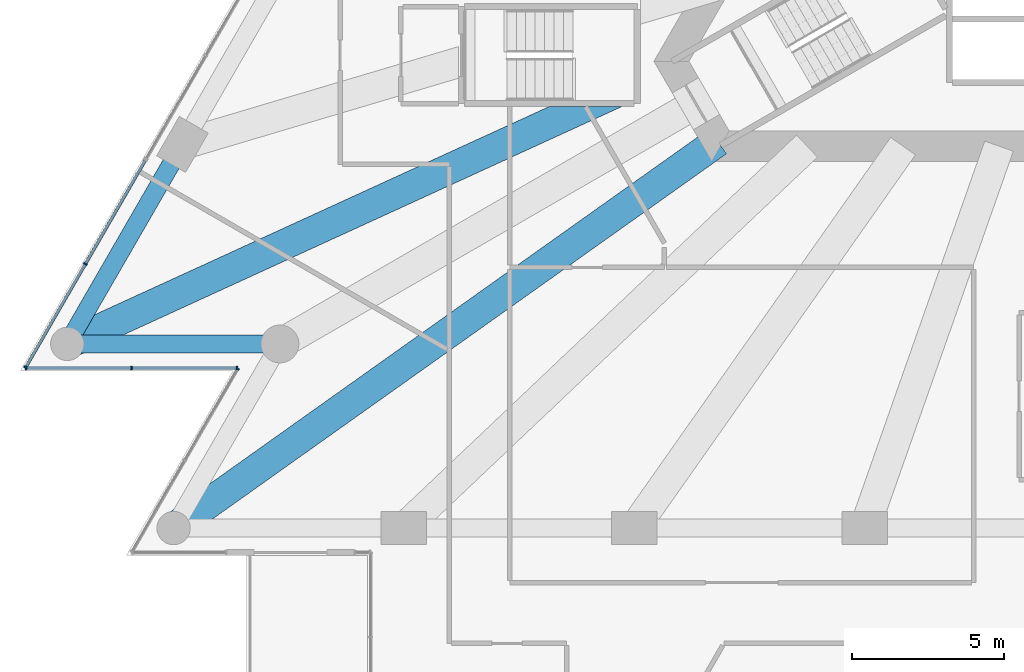
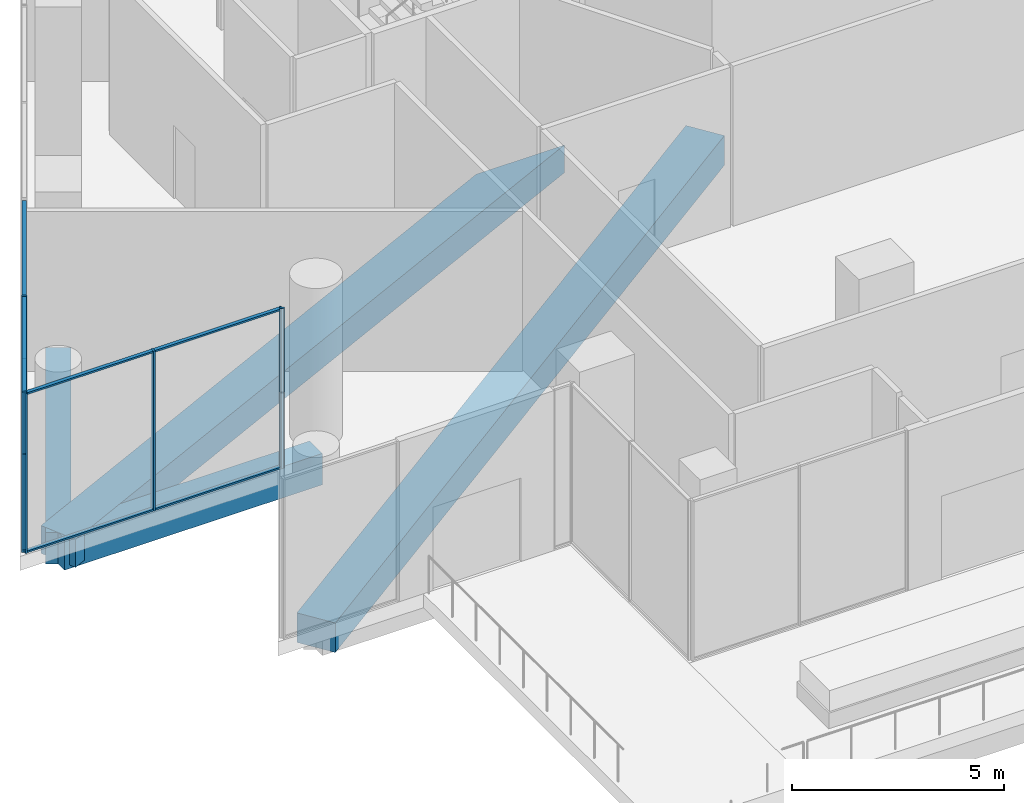
# One storey, part 4 of 32: 14 members, 4 beams, 3 elements without a shape of their own.
"""IFC4 building model written with IfcOpenShell, lengths in metres."""

from ifc_helpers import new_model, si_unit, direction, frame, origin, origin_2d, place, context, subcontext, project, spatial, rectangle, extrude, clip, halfspace, material, layer, layer_set, material_profile, profile_set, type_object, element, aggregate, save


model = new_model("IFC4")

# Units and contexts
model_context = context("Model", 3, precision=1e-05, world=origin(), true_north=direction((0.0, 1.0)))
body_context = subcontext(model_context, "Body", "Model", "MODEL_VIEW")
ifc_project = project(units=[si_unit("LENGTHUNIT", "METRE"), si_unit("AREAUNIT", "SQUARE_METRE"), si_unit("VOLUMEUNIT", "CUBIC_METRE"), si_unit("PLANEANGLEUNIT", "RADIAN"), si_unit("MASSUNIT", "GRAM", prefix="KILO")], contexts=[model_context])

# Site, building, storey
site_placement = place(None, origin())
site = spatial("IfcSite", under=ifc_project, at=site_placement, CompositionType="ELEMENT")
building_placement = place(site_placement, origin())
building = spatial("IfcBuilding", under=site, at=building_placement, Name="Triada Interchange Tower", CompositionType="ELEMENT")
storey_placement = place(building_placement, frame((0.0, 0.0, 25.300048828125)))
storey = spatial("IfcBuildingStorey", under=building, at=storey_placement, Name="L04", CompositionType="ELEMENT", Elevation=25.300048828125)

# Curtain wall, members
ifc_material_1 = material(Name="Aluminium framed glazing", Category="aluminium")
ifc_layer = layer(ifc_material_1, 0.199951171875)
ifc_layer_set = layer_set([ifc_layer], Name="Curtain wall Winter garden glazing")
curtain_wall_type = type_object("IfcCurtainWallType", Name="Curtain wall Winter garden glazing", PredefinedType="NOTDEFINED", material=ifc_layer_set)
curtain_wall_1_placement = place(storey_placement, origin())
curtain_wall_1 = element("IfcCurtainWall", 1, at=curtain_wall_1_placement, inside=storey, type_object=curtain_wall_type, Name="Winter garden glazing CW029 L04", PredefinedType="NOTDEFINED")
ifc_material_2 = material(Name="Aluminium", Category="aluminium")
ifc_material_profile_1 = material_profile(ifc_material_2, rectangle(XDim=0.1201171875, YDim=0.050048828125, at=origin_2d()), Name="Aluminium mullion")
ifc_profile_set_1 = profile_set([ifc_material_profile_1], Name="Aluminium")
member_type_1 = type_object("IfcMemberType", Name="Mullion Winter garden glazing 120x50", PredefinedType="MULLION", material=ifc_profile_set_1)
member_1_placement = place(storey_placement, frame((-33.305908203125, -12.886474609375, 0.0), z_axis=(0.0, 0.0, 1.0), x_axis=(0.86604927658, -0.499958648825, 0.0)))
member_1 = element("IfcMember", 2, at=member_1_placement, type_object=member_type_1, Name="CW029 mullion 2", PredefinedType="MULLION", context=body_context, shape_type="SweptSolid", body=[
    extrude(rectangle(XDim=0.1201171875, YDim=0.050048828125, at=origin_2d()), origin(), (0.0, 0.0, 1.0), 4.599853515625),
])
member_2_placement = place(storey_placement, frame((-35.278564453125, -16.303466796875, 0.0), z_axis=(0.0, 0.0, 1.0), x_axis=(0.86604927658, -0.499958648825, 0.0)))
member_2 = element("IfcMember", 3, at=member_2_placement, type_object=member_type_1, Name="CW029 mullion 3", PredefinedType="MULLION", context=body_context, shape_type="SweptSolid", body=[
    extrude(rectangle(XDim=0.1201171875, YDim=0.050048828125, at=origin_2d()), origin(), (0.0, 0.0, 1.0), 4.599853515625),
])

curtain_wall_2_placement = place(storey_placement, origin())
curtain_wall_2 = element("IfcCurtainWall", 4, at=curtain_wall_2_placement, inside=storey, type_object=curtain_wall_type, Name="Winter garden glazing CW030 L04", PredefinedType="NOTDEFINED")
member_3_placement = place(storey_placement, frame((-35.26611328125, -16.324951171875, 0.0), z_axis=(0.0, 0.0, 1.0), x_axis=(0.0, 1.0, 0.0)))
member_3 = element("IfcMember", 5, at=member_3_placement, type_object=member_type_1, Name="CW030 mullion 1", PredefinedType="MULLION", context=body_context, shape_type="SweptSolid", body=[
    extrude(rectangle(XDim=0.1201171875, YDim=0.050048828125, at=origin_2d()), origin(), (0.0, 0.0, 1.0), 4.599853515625),
])
member_4_placement = place(storey_placement, frame((-31.783447265625, -16.324951171875, 0.0), z_axis=(0.0, 0.0, 1.0), x_axis=(0.0, 1.0, 0.0)))
member_4 = element("IfcMember", 6, at=member_4_placement, type_object=member_type_1, Name="CW030 mullion 2", PredefinedType="MULLION", context=body_context, shape_type="SweptSolid", body=[
    extrude(rectangle(XDim=0.1201171875, YDim=0.050048828125, at=origin_2d()), origin(), (0.0, 0.0, 1.0), 4.599853515625),
])
member_5_placement = place(storey_placement, frame((-28.301025390625, -16.324951171875, 0.0), z_axis=(0.0, 0.0, 1.0), x_axis=(0.0, 1.0, 0.0)))
member_5 = element("IfcMember", 7, at=member_5_placement, type_object=member_type_1, Name="CW030 mullion 3", PredefinedType="MULLION", context=body_context, shape_type="SweptSolid", body=[
    extrude(rectangle(XDim=0.1201171875, YDim=0.050048828125, at=origin_2d()), origin(), (0.0, 0.0, 1.0), 4.599853515625),
])

# Curtain wall, member
curtain_wall_3_placement = place(storey_placement, origin())
curtain_wall_3 = element("IfcCurtainWall", 8, at=curtain_wall_3_placement, inside=storey, type_object=curtain_wall_type, Name="Winter garden glazing CW031 L04", PredefinedType="NOTDEFINED")
member_6_placement = place(storey_placement, frame((-28.28857421875, -16.3466796875, 0.0), z_axis=(0.0, 0.0, 1.0), x_axis=(0.866050272896, -0.499956922962, 0.0)))
member_6 = element("IfcMember", 9, at=member_6_placement, type_object=member_type_1, Name="CW031 mullion 1", PredefinedType="MULLION", context=body_context, shape_type="SweptSolid", body=[
    extrude(rectangle(XDim=0.1201171875, YDim=0.050048828125, at=origin_2d()), origin(), (0.0, 0.0, 1.0), 4.599853515625),
])
aggregate(curtain_wall_3, [member_6])

# Beams
ifc_material_3 = material(Name="Concrete C50/60", Category="concrete")
ifc_material_profile_2 = material_profile(ifc_material_3, rectangle(XDim=1.0, YDim=0.800048828125, at=origin_2d()), Name="RC 1000x800")
ifc_profile_set_2 = profile_set([ifc_material_profile_2], Name="Concrete C50/60")
beam_type_1 = type_object("IfcBeamType", Name="Radial band beam P RC 1000x800", PredefinedType="BEAM", material=ifc_profile_set_2)
beam_1_placement = place(storey_placement, frame((-33.905029296875, -15.52490234375, -0.800048828125), z_axis=(0.909200707798, 0.41635810661, 0.0), x_axis=(-0.41635810661, 0.909200707798, 0.0)))
element("IfcBeam", 10, at=beam_1_placement, inside=storey, type_object=beam_type_1, Name="Radial band beam BP09A L04", PredefinedType="BEAM", context=body_context, shape_type="Clipping", body=[
    clip(extrude(rectangle(XDim=1.0, YDim=0.800048828125, at=origin_2d()), origin(), (0.0, 0.0, 1.0), 20.294921875), halfspace(frame((-0.7568359375, -24.5, 20.446533203125), z_axis=(0.909200707798, 0.0, 0.41635810661), x_axis=(0.0, -1.0, 0.0)), False)),
])
ifc_material_profile_3 = material_profile(ifc_material_3, rectangle(XDim=1.0, YDim=0.85009765625, at=origin_2d()), Name="RC 1000x850")
ifc_profile_set_3 = profile_set([ifc_material_profile_3], Name="Concrete C50/60")
beam_type_2 = type_object("IfcBeamType", Name="Radial band beam P RC 1000x850", PredefinedType="BEAM", material=ifc_profile_set_3)
beam_2_placement = place(storey_placement, frame((-30.39697265625, -21.60009765625, -0.824951171875), z_axis=(0.815163189691, 0.579231364977, 0.0), x_axis=(-0.579231364977, 0.815163189691, 0.0)))
element("IfcBeam", 11, at=beam_2_placement, inside=storey, type_object=beam_type_2, Name="Radial band beam BP11 L04", PredefinedType="BEAM", context=body_context, shape_type="SweptSolid", body=[
    extrude(rectangle(XDim=1.0, YDim=0.85009765625, at=origin_2d()), origin(), (0.0, 0.0, 1.0), 22.0224609375),
])
ifc_material_profile_4 = material_profile(ifc_material_3, rectangle(XDim=0.60009765625, YDim=0.89990234375, at=origin_2d()), Name="RC 600x900")
ifc_profile_set_4 = profile_set([ifc_material_profile_4], Name="Concrete C50/60")
beam_type_3 = type_object("IfcBeamType", Name="Spandrel beam P RC 600x900", PredefinedType="BEAM", material=ifc_profile_set_4)
beam_3_placement = place(storey_placement, frame((-30.10498046875, -8.944091796875, -0.85009765625), z_axis=(-0.500060803479, -0.865990296034, 0.0), x_axis=(0.865990296034, -0.500060803479, 0.0)))
element("IfcBeam", 12, at=beam_3_placement, inside=storey, type_object=beam_type_3, Name="Spandrel beam EP08 L04", PredefinedType="BEAM", context=body_context, shape_type="SweptSolid", body=[
    extrude(rectangle(XDim=0.60009765625, YDim=0.89990234375, at=origin_2d()), origin(), (0.0, 0.0, 1.0), 7.59912109375),
])
beam_4_placement = place(storey_placement, frame((-33.905029296875, -15.52490234375, -0.85009765625), z_axis=(1.0, 0.0, 0.0), x_axis=(0.0, 1.0, 0.0)))
element("IfcBeam", 13, at=beam_4_placement, inside=storey, type_object=beam_type_3, Name="Spandrel beam EP09 L04", PredefinedType="BEAM", context=body_context, shape_type="SweptSolid", body=[
    extrude(rectangle(XDim=0.60009765625, YDim=0.89990234375, at=origin_2d()), origin(), (0.0, 0.0, 1.0), 7.01513671875),
])

# Member
ifc_material_profile_5 = material_profile(ifc_material_2, rectangle(XDim=0.10009765625, YDim=0.050048828125, at=origin_2d()), Name="Aluminium transom")
ifc_profile_set_5 = profile_set([ifc_material_profile_5], Name="Aluminium")
member_type_2 = type_object("IfcMemberType", Name="Transom Winter garden glazing 100x50", PredefinedType="USERDEFINED", material=ifc_profile_set_5)
member_7_placement = place(storey_placement, frame((-31.345947265625, -9.4912109375, 0.02490234375), z_axis=(-0.499961171201, -0.866047820441, 0.0), x_axis=(0.866047820441, -0.499961171201, 0.0)))
member_7 = element("IfcMember", 14, at=member_7_placement, type_object=member_type_2, Name="CW029 transom 1.1", ObjectType="TRANSOM", PredefinedType="USERDEFINED", context=body_context, shape_type="SweptSolid", body=[
    extrude(rectangle(XDim=0.10009765625, YDim=0.050048828125, at=origin_2d()), origin(), (0.0, 0.0, 1.0), 3.895263671875),
])

member_8_placement = place(storey_placement, frame((-31.345947265625, -9.4912109375, 4.574951171875), z_axis=(-0.499961171201, -0.866047820441, 0.0), x_axis=(0.866047820441, -0.499961171201, 0.0)))
member_8 = element("IfcMember", 15, at=member_8_placement, type_object=member_type_2, Name="CW029 transom 1.2", ObjectType="TRANSOM", PredefinedType="USERDEFINED", context=body_context, shape_type="SweptSolid", body=[
    extrude(rectangle(XDim=0.10009765625, YDim=0.050048828125, at=origin_2d()), origin(), (0.0, 0.0, 1.0), 3.895263671875),
])

member_9_placement = place(storey_placement, frame((-33.318603515625, -12.908203125, 0.02490234375), z_axis=(-0.499961171201, -0.866047820441, 0.0), x_axis=(0.866047820441, -0.499961171201, 0.0)))
member_9 = element("IfcMember", 16, at=member_9_placement, type_object=member_type_2, Name="CW029 transom 2.1", ObjectType="TRANSOM", PredefinedType="USERDEFINED", context=body_context, shape_type="SweptSolid", body=[
    extrude(rectangle(XDim=0.10009765625, YDim=0.050048828125, at=origin_2d()), origin(), (0.0, 0.0, 1.0), 3.895263671875),
])

member_10_placement = place(storey_placement, frame((-33.318603515625, -12.908203125, 4.574951171875), z_axis=(-0.499961171201, -0.866047820441, 0.0), x_axis=(0.866047820441, -0.499961171201, 0.0)))
member_10 = element("IfcMember", 17, at=member_10_placement, type_object=member_type_2, Name="CW029 transom 2.2", ObjectType="TRANSOM", PredefinedType="USERDEFINED", context=body_context, shape_type="SweptSolid", body=[
    extrude(rectangle(XDim=0.10009765625, YDim=0.050048828125, at=origin_2d()), origin(), (0.0, 0.0, 1.0), 3.895263671875),
])

aggregate(curtain_wall_1, [member_1, member_2, member_7, member_8, member_9, member_10])

member_11_placement = place(storey_placement, frame((-35.240966796875, -16.324951171875, 0.02490234375), z_axis=(1.0, 0.0, 0.0), x_axis=(0.0, 1.0, 0.0)))
member_11 = element("IfcMember", 18, at=member_11_placement, type_object=member_type_2, Name="CW030 transom 1.1", ObjectType="TRANSOM", PredefinedType="USERDEFINED", context=body_context, shape_type="SweptSolid", body=[
    extrude(rectangle(XDim=0.10009765625, YDim=0.050048828125, at=origin_2d()), origin(), (0.0, 0.0, 1.0), 3.432373046875),
])

member_12_placement = place(storey_placement, frame((-35.240966796875, -16.324951171875, 4.574951171875), z_axis=(1.0, 0.0, 0.0), x_axis=(0.0, 1.0, 0.0)))
member_12 = element("IfcMember", 19, at=member_12_placement, type_object=member_type_2, Name="CW030 transom 1.2", ObjectType="TRANSOM", PredefinedType="USERDEFINED", context=body_context, shape_type="SweptSolid", body=[
    extrude(rectangle(XDim=0.10009765625, YDim=0.050048828125, at=origin_2d()), origin(), (0.0, 0.0, 1.0), 3.432373046875),
])

member_13_placement = place(storey_placement, frame((-31.758544921875, -16.324951171875, 0.02490234375), z_axis=(1.0, 0.0, 0.0), x_axis=(0.0, 1.0, 0.0)))
member_13 = element("IfcMember", 20, at=member_13_placement, type_object=member_type_2, Name="CW030 transom 2.1", ObjectType="TRANSOM", PredefinedType="USERDEFINED", context=body_context, shape_type="SweptSolid", body=[
    extrude(rectangle(XDim=0.10009765625, YDim=0.050048828125, at=origin_2d()), origin(), (0.0, 0.0, 1.0), 3.4326171875),
])

member_14_placement = place(storey_placement, frame((-31.758544921875, -16.324951171875, 4.574951171875), z_axis=(1.0, 0.0, 0.0), x_axis=(0.0, 1.0, 0.0)))
member_14 = element("IfcMember", 21, at=member_14_placement, type_object=member_type_2, Name="CW030 transom 2.2", ObjectType="TRANSOM", PredefinedType="USERDEFINED", context=body_context, shape_type="SweptSolid", body=[
    extrude(rectangle(XDim=0.10009765625, YDim=0.050048828125, at=origin_2d()), origin(), (0.0, 0.0, 1.0), 3.4326171875),
])

aggregate(curtain_wall_2, [member_3, member_4, member_5, member_11, member_12, member_13, member_14])

save(model, "model.ifc")
